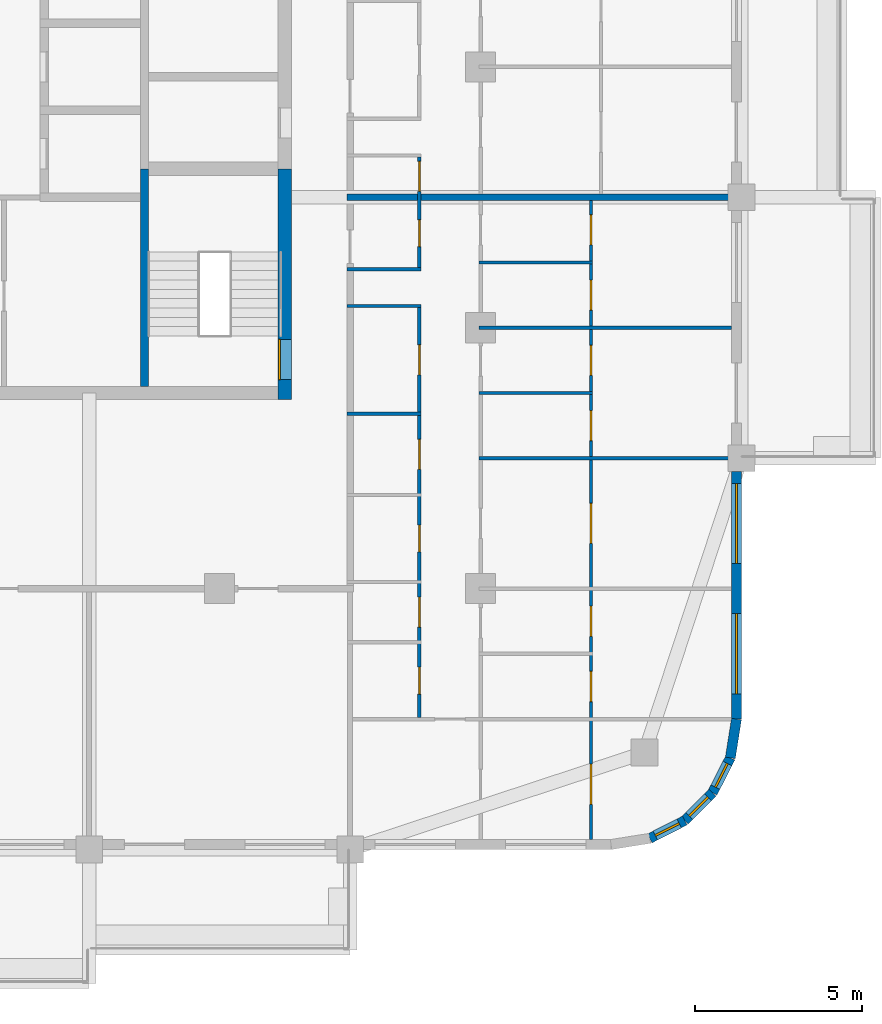
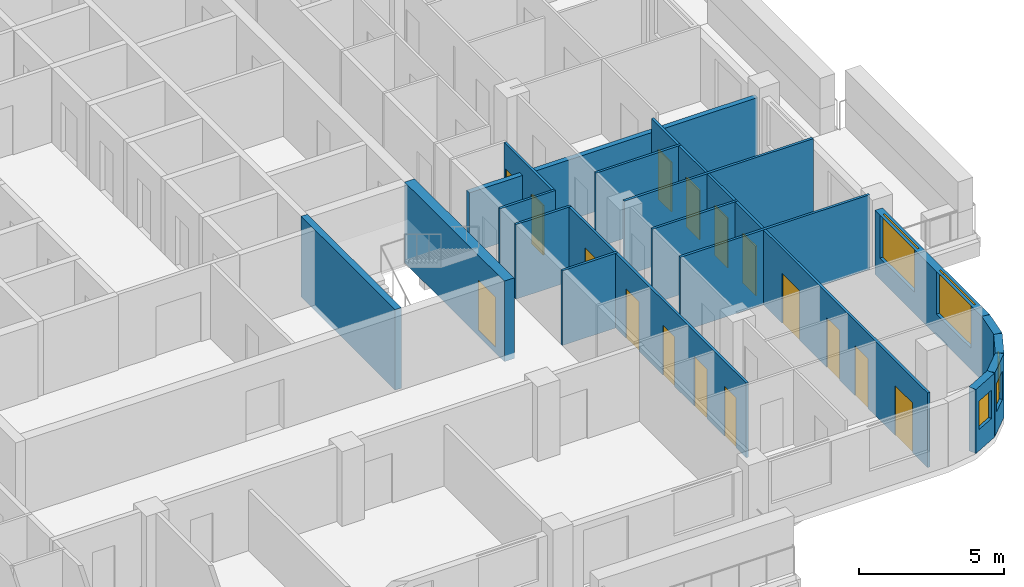
# One storey, part 6 of 16: 18 walls, 16 doors, 5 windows, 21 openings.
"""IFC4 building model written with IfcOpenShell, lengths in metres."""

import ifcopenshell
import ifcopenshell.guid

model = None  # the IFC model being written
_history = None  # IfcOwnerHistory: only IFC2X3 demands one
_inside = {}  # id of a spatial element -> (the spatial element, [elements in it])
_under = {}  # id of a project, library or spatial element -> (it, [spatial elements below it])
_declared = {}  # id of a project -> (the project, [libraries it declares])
_typed = {}  # id of a type object -> (the type object, [elements of that type])
_made_of = {}  # id of a material, layer set ... -> (it, [elements and type objects made of it])


def new_model(schema):
    """Start an empty IFC model of exactly this schema.

    Asked for "IFC4X3", IfcOpenShell would pick the latest addendum, in which some entities
    have other attributes; the version numbers below select the first issue.
    IFC2X3 requires an IfcOwnerHistory on every rooted entity: one is made here for all.
    """
    global model, _history
    if schema == "IFC4X3":
        model = ifcopenshell.file(schema_version=(4, 3, 0, 0))
    else:
        model = ifcopenshell.file(schema=schema)
    _inside.clear()
    _under.clear()
    _declared.clear()
    _typed.clear()
    _made_of.clear()
    _history = None
    if model.schema == "IFC2X3":
        org = make("IfcOrganization", Name="unknown")
        user = make(
            "IfcPersonAndOrganization",
            ThePerson=make("IfcPerson", FamilyName="unknown"),
            TheOrganization=org,
        )
        app = make(
            "IfcApplication",
            ApplicationDeveloper=org,
            Version="unknown",
            ApplicationFullName="unknown",
            ApplicationIdentifier="unknown",
        )
        _history = make(
            "IfcOwnerHistory",
            OwningUser=user,
            OwningApplication=app,
            ChangeAction="ADDED",
            CreationDate=0,
        )
    return model


def make(cls, **values):
    """One entity of the class cls with the attributes given. An attribute that is None is left unset."""
    return model.create_entity(
        cls, **{name: value for name, value in values.items() if value is not None}
    )


def rooted(cls, **values):
    """An entity with a GlobalId (a new one), such as an element, a storey or a relation."""
    return make(cls, GlobalId=ifcopenshell.guid.new(), OwnerHistory=_history, **values)


def si_unit(unit_type, name, prefix=None):
    """IfcSIUnit, for example si_unit("LENGTHUNIT", "METRE", prefix="MILLI")."""
    return make("IfcSIUnit", UnitType=unit_type, Prefix=prefix, Name=name)


def assignment(units):
    """IfcUnitAssignment: the units of a project."""
    return None if units is None else make("IfcUnitAssignment", Units=units)


def point(xyz):
    """IfcCartesianPoint."""
    return None if xyz is None else make("IfcCartesianPoint", Coordinates=xyz)


def direction(xyz):
    """IfcDirection."""
    return None if xyz is None else make("IfcDirection", DirectionRatios=xyz)


def frame(location, z_axis=None, x_axis=None):
    """IfcAxis2Placement3D, a coordinate frame: its origin and axes. An axis left out is left unset."""
    return make(
        "IfcAxis2Placement3D",
        Location=point(location),
        Axis=direction(z_axis),
        RefDirection=direction(x_axis),
    )


def frame_2d(location, x_axis=None):
    """IfcAxis2Placement2D, a coordinate frame in the plane: its origin and x axis."""
    return make(
        "IfcAxis2Placement2D", Location=point(location), RefDirection=direction(x_axis)
    )


def origin():
    """The frame at (0, 0, 0) with its axes left unset."""
    return frame((0.0, 0.0, 0.0))


def place(relative_to, where):
    """IfcLocalPlacement: puts the frame where relative to a parent placement (None: the world)."""
    return make(
        "IfcLocalPlacement", PlacementRelTo=relative_to, RelativePlacement=where
    )


def context(
    kind, dimensions, precision=None, world=None, true_north=None, identifier=None
):
    """IfcGeometricRepresentationContext, for example the 3D "Model" context."""
    return make(
        "IfcGeometricRepresentationContext",
        ContextIdentifier=identifier,
        ContextType=kind,
        CoordinateSpaceDimension=dimensions,
        Precision=precision,
        WorldCoordinateSystem=world,
        TrueNorth=true_north,
    )


def subcontext(parent, identifier, kind, view, scale=None):
    """IfcGeometricRepresentationSubContext, for example "Body" below "Model"."""
    return make(
        "IfcGeometricRepresentationSubContext",
        ContextIdentifier=identifier,
        ContextType=kind,
        ParentContext=parent,
        TargetScale=scale,
        TargetView=view,
    )


def project(units=None, contexts=None):
    """IfcProject with its units and contexts."""
    return rooted(
        "IfcProject",
        Name="project",
        RepresentationContexts=contexts,
        UnitsInContext=assignment(units),
    )


def spatial(cls, under=None, at=None, **own):
    """A site, building, storey or space (cls), placed at a placement, below another one or the project."""
    s = rooted(cls, ObjectPlacement=at, **own)
    if under is not None:
        _under.setdefault(under.id(), (under, []))[1].append(s)
    return s


def profile(cls, at=None, kind="AREA", **sizes):
    """A parametric profile (cls). Its sizes go by their IFC names, for example OverallWidth=200.0."""
    return make(cls, ProfileType=kind, Position=at, **sizes)


def rectangle(**sizes):
    """IfcRectangleProfileDef."""
    return profile("IfcRectangleProfileDef", **sizes)


def extrude(swept, where, along, depth):
    """IfcExtrudedAreaSolid: the profile swept, set in the frame where, extruded along a direction by depth."""
    return make(
        "IfcExtrudedAreaSolid",
        SweptArea=swept,
        Position=where,
        ExtrudedDirection=direction(along),
        Depth=depth,
    )


def shape(context_of_items, identifier, shape_type, items):
    """IfcShapeRepresentation: the items that make up one representation, for example the "Body"."""
    return make(
        "IfcShapeRepresentation",
        ContextOfItems=context_of_items,
        RepresentationIdentifier=identifier,
        RepresentationType=shape_type,
        Items=items,
    )


def material(Name=None, Category=None):
    """IfcMaterial."""
    return make("IfcMaterial", Name=Name, Category=Category)


def layer(
    of_material, thickness, ventilated=None, Name=None, Category=None, Priority=None
):
    """IfcMaterialLayer: one layer of a wall or slab, of a material (None: an air gap)."""
    return make(
        "IfcMaterialLayer",
        Material=of_material,
        LayerThickness=thickness,
        IsVentilated=ventilated,
        Name=Name,
        Category=Category,
        Priority=Priority,
    )


def layer_set(layers, Name=None):
    """IfcMaterialLayerSet."""
    return make("IfcMaterialLayerSet", MaterialLayers=layers, LayerSetName=Name)


def made_of(thing, what):
    """Note that an element or type object is made of a material, layer set ...; save() writes the relation."""
    if what is not None:
        _made_of.setdefault(what.id(), (what, []))[1].append(thing)
    return thing


def type_object(cls, material=None, **own):
    """A type object (cls), such as IfcWallType, which elements share."""
    return made_of(rooted(cls, **own), material)


def element(
    cls,
    number,
    at=None,
    inside=None,
    cuts=None,
    type_object=None,
    material=None,
    context=None,
    identifier="Body",
    shape_type=None,
    held_by="IfcProductDefinitionShape",
    body=None,
    shapes=None,
    **own,
):
    """One element of the class cls, such as IfcWall. Its Tag is "e" and its number.

    at: its placement. inside: the storey or other place that contains it. cuts: it is an
    opening in that element (IfcRelVoidsElement). A single representation is given by context,
    identifier, shape_type and body (its items); several are given by shapes. held_by: the class
    of the entity that holds the representations. save() writes the other relations.
    """
    e = rooted(cls, Tag="e%d" % number, ObjectPlacement=at, **own)
    if body is not None:
        shapes = [shape(context, identifier, shape_type, body)]
    if shapes is not None:
        e.Representation = make(held_by, Representations=shapes)
    if inside is not None:
        _inside.setdefault(inside.id(), (inside, []))[1].append(e)
    if cuts is not None:
        rooted(
            "IfcRelVoidsElement", RelatingBuildingElement=cuts, RelatedOpeningElement=e
        )
    if type_object is not None:
        _typed.setdefault(type_object.id(), (type_object, []))[1].append(e)
    return made_of(e, material)


def fill(opening, filler):
    """IfcRelFillsElement: the door or window that sits in an opening."""
    return rooted(
        "IfcRelFillsElement",
        RelatingOpeningElement=opening,
        RelatedBuildingElement=filler,
    )


def aggregate(whole, parts):
    """IfcRelAggregates: a whole, such as a stair, and the parts it consists of."""
    return rooted("IfcRelAggregates", RelatingObject=whole, RelatedObjects=parts)


def save(model, path):
    """Write the relations noted so far, then the file.

    IfcRelAggregates (storeys below a building ...), IfcRelContainedInSpatialStructure (elements
    in a storey), IfcRelDefinesByType, IfcRelAssociatesMaterial and IfcRelDeclares: one each for
    every whole, place, type object, material and project.
    """
    for whole, parts in _under.values():
        aggregate(whole, parts)
    for where, things in _inside.values():
        rooted(
            "IfcRelContainedInSpatialStructure",
            RelatedElements=things,
            RelatingStructure=where,
        )
    for kind, things in _typed.values():
        rooted("IfcRelDefinesByType", RelatedObjects=things, RelatingType=kind)
    for what, things in _made_of.values():
        rooted("IfcRelAssociatesMaterial", RelatedObjects=things, RelatingMaterial=what)
    for by, libraries in _declared.values():
        rooted("IfcRelDeclares", RelatingContext=by, RelatedDefinitions=libraries)
    model.write(path)


model = new_model("IFC4")

# Units and contexts
model_context = context("Model", 3, precision=1e-05, world=origin(), true_north=direction((0.0, 1.0)))
body_context = subcontext(model_context, "Body", "Model", "MODEL_VIEW")
ifc_project = project(units=[si_unit("LENGTHUNIT", "METRE"), si_unit("AREAUNIT", "SQUARE_METRE"), si_unit("VOLUMEUNIT", "CUBIC_METRE"), si_unit("PLANEANGLEUNIT", "RADIAN"), si_unit("MASSUNIT", "GRAM", prefix="KILO")], contexts=[model_context])

# Site, building, storey
site_placement = place(None, origin())
site = spatial("IfcSite", under=ifc_project, at=site_placement, CompositionType="ELEMENT")
building_placement = place(site_placement, origin())
building = spatial("IfcBuilding", under=site, at=building_placement, Name="Ludao Terraces", CompositionType="ELEMENT")
storey_placement = place(building_placement, frame((0.0, 0.0, 207.5)))
storey = spatial("IfcBuildingStorey", under=building, at=storey_placement, Name="L56", CompositionType="ELEMENT", Elevation=207.5)

# Wall, opening, door
ifc_material_1 = material(Name="Concrete C50", Category="concrete")
ifc_layer_1 = layer(ifc_material_1, 0.39990234375)
ifc_layer_set_1 = layer_set([ifc_layer_1], Name="Core wall 400 C50")
wall_type_1 = type_object("IfcWallType", Name="Core wall 400 C50", PredefinedType="SOLIDWALL", material=ifc_layer_set_1)
wall_1_placement = place(storey_placement, frame((94.75, 55.050048828125, -0.25), z_axis=(0.0, 0.0, 1.0), x_axis=(0.0, 1.0, 0.0)))
wall_1 = element("IfcWall", 1, at=wall_1_placement, inside=storey, type_object=wall_type_1, Name="Core wall L56 outer-E-S3", PredefinedType="SOLIDWALL", context=body_context, shape_type="SweptSolid", body=[
    extrude(rectangle(XDim=6.89990234375, YDim=0.39990234375, at=frame_2d((3.449951171875, 0.0))), origin(), (0.0, 0.0, 1.0), 3.39990234375),
])
opening_1_placement = place(wall_1_placement, frame((0.60009765625, 0.0, 0.25)))
opening_1 = element("IfcOpeningElement", 2, at=opening_1_placement, cuts=wall_1, Name="Opening R20-037", PredefinedType="OPENING", context=body_context, shape_type="SweptSolid", body=[
    extrude(rectangle(XDim=1.199951171875, YDim=2.10009765625, at=frame_2d((0.60009765625, 1.050048828125))), frame((0.0, 0.2099609375, 0.0), z_axis=(0.0, -1.0, 0.0), x_axis=(1.0, 0.0, 0.0)), (0.0, 0.0, 1.0), 0.419921875),
])
ifc_material_2 = material(Name="Steel Q235", Category="steel")
door_type_1 = type_object("IfcDoorType", Name="INT Stair door 1200", OperationType="DOUBLE_DOOR_SINGLE_SWING", PredefinedType="DOOR", material=ifc_material_2)
door_1_placement = place(opening_1_placement, origin())
door_1 = element("IfcDoor", 3, at=door_1_placement, inside=storey, type_object=door_type_1, Name="DOOR 037", OperationType="DOUBLE_DOOR_SINGLE_SWING", OverallHeight=2.10009765625, OverallWidth=1.199951171875, PredefinedType="DOOR", context=body_context, shape_type="SweptSolid", body=[
    extrude(rectangle(XDim=1.199951171875, YDim=2.10009765625, at=frame_2d((0.60009765625, 1.050048828125))), frame((0.0, 0.18505859375, 0.0), z_axis=(0.0, -1.0, 0.0), x_axis=(1.0, 0.0, 0.0)), (0.0, 0.0, 1.0), 0.050048828125),
])
fill(opening_1, door_1)

# Wall, openings, windows
ifc_material_3 = material(Name="Granite cladding", Category="masonry")
ifc_layer_2 = layer(ifc_material_3, 0.0400390625, Category="stone")
ifc_material_4 = material(Name="Mineral wool")
ifc_layer_3 = layer(ifc_material_4, 0.06005859375)
ifc_material_5 = material(Name="Concrete C40", Category="concrete")
ifc_layer_4 = layer(ifc_material_5, 0.199951171875, Category="concrete")
ifc_layer_set_2 = layer_set([ifc_layer_2, ifc_layer_3, ifc_layer_4], Name="ENV Stone-clad wall 300")
wall_type_2 = type_object("IfcWallType", Name="ENV Stone-clad wall 300", PredefinedType="SOLIDWALL", material=ifc_layer_set_2)
wall_2_placement = place(storey_placement, frame((108.25, 45.5, 0.0), z_axis=(0.0, 0.0, 1.0), x_axis=(0.0, 1.0, 0.0)))
wall_2 = element("IfcWall", 4, at=wall_2_placement, inside=storey, type_object=wall_type_2, Name="EW-L56-E1", PredefinedType="SOLIDWALL", context=body_context, shape_type="SweptSolid", body=[
    extrude(rectangle(XDim=7.39990234375, YDim=0.300048828125, at=frame_2d((3.699951171875, 0.0))), origin(), (0.0, 0.0, 1.0), 2.699951171875),
])
opening_2_placement = place(wall_2_placement, frame((0.75, 0.0, 0.89990234375)))
opening_2 = element("IfcOpeningElement", 5, at=opening_2_placement, cuts=wall_2, Name="Opening W1", PredefinedType="OPENING", context=body_context, shape_type="SweptSolid", body=[
    extrude(rectangle(XDim=2.39990234375, YDim=1.800048828125, at=frame_2d((1.199951171875, 0.89990234375))), frame((0.0, 0.16015625, 0.0), z_axis=(0.0, -1.0, 0.0), x_axis=(1.0, 0.0, 0.0)), (0.0, 0.0, 1.0), 0.320068359375),
])
opening_3_placement = place(wall_2_placement, frame((4.64990234375, 0.0, 0.89990234375)))
opening_3 = element("IfcOpeningElement", 6, at=opening_3_placement, cuts=wall_2, Name="Opening W1", PredefinedType="OPENING", context=body_context, shape_type="SweptSolid", body=[
    extrude(rectangle(XDim=2.39990234375, YDim=1.800048828125, at=frame_2d((1.199951171875, 0.89990234375))), frame((0.0, 0.16015625, 0.0), z_axis=(0.0, -1.0, 0.0), x_axis=(1.0, 0.0, 0.0)), (0.0, 0.0, 1.0), 0.320068359375),
])
ifc_material_6 = material(Name="Clear glass in aluminium frame", Category="aluminium")
ifc_layer_5 = layer(ifc_material_6, 0.06005859375)
ifc_layer_set_3 = layer_set([ifc_layer_5], Name="ENV Window W1 2400x1800")
window_type_1 = type_object("IfcWindowType", Name="ENV Window W1 2400x1800", PartitioningType="DOUBLE_PANEL_VERTICAL", PredefinedType="WINDOW", material=ifc_layer_set_3)
window_1_placement = place(opening_2_placement, origin())
window_1 = element("IfcWindow", 7, at=window_1_placement, inside=storey, type_object=window_type_1, Name="W-L56-E1-1", OverallHeight=1.800048828125, OverallWidth=2.39990234375, PartitioningType="DOUBLE_PANEL_VERTICAL", PredefinedType="WINDOW", context=body_context, shape_type="SweptSolid", body=[
    extrude(rectangle(XDim=2.39990234375, YDim=1.800048828125, at=frame_2d((1.199951171875, 0.89990234375))), frame((0.0, 0.030029296875, 0.0), z_axis=(0.0, -1.0, 0.0), x_axis=(1.0, 0.0, 0.0)), (0.0, 0.0, 1.0), 0.06005859375),
])
fill(opening_2, window_1)
window_2_placement = place(opening_3_placement, origin())
window_2 = element("IfcWindow", 8, at=window_2_placement, inside=storey, type_object=window_type_1, Name="W-L56-E1-2", OverallHeight=1.800048828125, OverallWidth=2.39990234375, PartitioningType="DOUBLE_PANEL_VERTICAL", PredefinedType="WINDOW", context=body_context, shape_type="SweptSolid", body=[
    extrude(rectangle(XDim=2.39990234375, YDim=1.800048828125, at=frame_2d((1.199951171875, 0.89990234375))), frame((0.0, 0.030029296875, 0.0), z_axis=(0.0, -1.0, 0.0), x_axis=(1.0, 0.0, 0.0)), (0.0, 0.0, 1.0), 0.06005859375),
])
fill(opening_3, window_2)

# Wall, opening, window
wall_3_placement = place(storey_placement, frame((105.65869140625, 41.93359375, 0.0), z_axis=(0.0, 0.0, 1.0), x_axis=(0.890988677504, 0.454025524128, 0.0)))
wall_3 = element("IfcWall", 9, at=wall_3_placement, inside=storey, type_object=wall_type_2, Name="EW-L56-SE2", PredefinedType="SOLIDWALL", context=body_context, shape_type="SweptSolid", body=[
    extrude(rectangle(XDim=1.17333984375, YDim=0.300048828125, at=frame_2d((0.586669921875, 0.0))), origin(), (0.0, 0.0, 1.0), 2.699951171875),
])
opening_4_placement = place(wall_3_placement, frame((0.1865234375, 0.0, 0.89990234375)))
opening_4 = element("IfcOpeningElement", 10, at=opening_4_placement, cuts=wall_3, Name="Opening W3", PredefinedType="OPENING", context=body_context, shape_type="SweptSolid", body=[
    extrude(rectangle(XDim=0.800048828125, YDim=1.199951171875, at=frame_2d((0.39990234375, 0.60009765625))), frame((0.0, 0.16015625, 0.0), z_axis=(0.0, -1.0, 0.0), x_axis=(1.0, 0.0, 0.0)), (0.0, 0.0, 1.0), 0.320068359375),
])
ifc_layer_6 = layer(ifc_material_6, 0.06005859375)
ifc_layer_set_4 = layer_set([ifc_layer_6], Name="ENV Window W3 800x1200")
window_type_2 = type_object("IfcWindowType", Name="ENV Window W3 800x1200", PartitioningType="SINGLE_PANEL", PredefinedType="WINDOW", material=ifc_layer_set_4)
window_3_placement = place(opening_4_placement, origin())
window_3 = element("IfcWindow", 11, at=window_3_placement, inside=storey, type_object=window_type_2, Name="W-L56-SE2", OverallHeight=1.199951171875, OverallWidth=0.800048828125, PartitioningType="SINGLE_PANEL", PredefinedType="WINDOW", context=body_context, shape_type="SweptSolid", body=[
    extrude(rectangle(XDim=0.800048828125, YDim=1.199951171875, at=frame_2d((0.39990234375, 0.60009765625))), frame((0.0, 0.030029296875, 0.0), z_axis=(0.0, -1.0, 0.0), x_axis=(1.0, 0.0, 0.0)), (0.0, 0.0, 1.0), 0.06005859375),
])
fill(opening_4, window_3)

wall_4_placement = place(storey_placement, frame((106.7041015625, 42.46630859375, 0.0), z_axis=(0.0, 0.0, 1.0), x_axis=(0.707106781187, 0.707106781187, 0.0)))
wall_4 = element("IfcWall", 12, at=wall_4_placement, inside=storey, type_object=wall_type_2, Name="EW-L56-SE3", PredefinedType="SOLIDWALL", context=body_context, shape_type="SweptSolid", body=[
    extrude(rectangle(XDim=1.173095703125, YDim=0.300048828125, at=frame_2d((0.58642578125, 0.0))), origin(), (0.0, 0.0, 1.0), 2.699951171875),
])
opening_5_placement = place(wall_4_placement, frame((0.1865234375, 0.0, 0.89990234375)))
opening_5 = element("IfcOpeningElement", 13, at=opening_5_placement, cuts=wall_4, Name="Opening W3", PredefinedType="OPENING", context=body_context, shape_type="SweptSolid", body=[
    extrude(rectangle(XDim=0.800048828125, YDim=1.199951171875, at=frame_2d((0.39990234375, 0.60009765625))), frame((0.0, 0.16015625, 0.0), z_axis=(0.0, -1.0, 0.0), x_axis=(1.0, 0.0, 0.0)), (0.0, 0.0, 1.0), 0.320068359375),
])
window_4_placement = place(opening_5_placement, origin())
window_4 = element("IfcWindow", 14, at=window_4_placement, inside=storey, type_object=window_type_2, Name="W-L56-SE3", OverallHeight=1.199951171875, OverallWidth=0.800048828125, PartitioningType="SINGLE_PANEL", PredefinedType="WINDOW", context=body_context, shape_type="SweptSolid", body=[
    extrude(rectangle(XDim=0.800048828125, YDim=1.199951171875, at=frame_2d((0.39990234375, 0.60009765625))), frame((0.0, 0.030029296875, 0.0), z_axis=(0.0, -1.0, 0.0), x_axis=(1.0, 0.0, 0.0)), (0.0, 0.0, 1.0), 0.06005859375),
])
fill(opening_5, window_4)

wall_5_placement = place(storey_placement, frame((107.53369140625, 43.2958984375, 0.0), z_axis=(0.0, 0.0, 1.0), x_axis=(0.454025524128, 0.890988677504, 0.0)))
wall_5 = element("IfcWall", 15, at=wall_5_placement, inside=storey, type_object=wall_type_2, Name="EW-L56-SE4", PredefinedType="SOLIDWALL", context=body_context, shape_type="SweptSolid", body=[
    extrude(rectangle(XDim=1.17333984375, YDim=0.300048828125, at=frame_2d((0.586669921875, 0.0))), origin(), (0.0, 0.0, 1.0), 2.699951171875),
])
opening_6_placement = place(wall_5_placement, frame((0.1865234375, 0.0, 0.89990234375)))
opening_6 = element("IfcOpeningElement", 16, at=opening_6_placement, cuts=wall_5, Name="Opening W3", PredefinedType="OPENING", context=body_context, shape_type="SweptSolid", body=[
    extrude(rectangle(XDim=0.800048828125, YDim=1.199951171875, at=frame_2d((0.39990234375, 0.60009765625))), frame((0.0, 0.16015625, 0.0), z_axis=(0.0, -1.0, 0.0), x_axis=(1.0, 0.0, 0.0)), (0.0, 0.0, 1.0), 0.320068359375),
])
window_5_placement = place(opening_6_placement, origin())
window_5 = element("IfcWindow", 17, at=window_5_placement, inside=storey, type_object=window_type_2, Name="W-L56-SE4", OverallHeight=1.199951171875, OverallWidth=0.800048828125, PartitioningType="SINGLE_PANEL", PredefinedType="WINDOW", context=body_context, shape_type="SweptSolid", body=[
    extrude(rectangle(XDim=0.800048828125, YDim=1.199951171875, at=frame_2d((0.39990234375, 0.60009765625))), frame((0.0, 0.030029296875, 0.0), z_axis=(0.0, -1.0, 0.0), x_axis=(1.0, 0.0, 0.0)), (0.0, 0.0, 1.0), 0.06005859375),
])
fill(opening_6, window_5)

# Walls
wall_6_placement = place(storey_placement, frame((108.06640625, 44.34130859375, 0.0), z_axis=(0.0, 0.0, 1.0), x_axis=(0.156496880861, 0.987678452879, 0.0)))
element("IfcWall", 18, at=wall_6_placement, inside=storey, type_object=wall_type_2, Name="EW-L56-SE5", PredefinedType="SOLIDWALL", context=body_context, shape_type="SweptSolid", body=[
    extrude(rectangle(XDim=1.173095703125, YDim=0.300048828125, at=frame_2d((0.58642578125, 0.0))), origin(), (0.0, 0.0, 1.0), 2.699951171875),
])
ifc_material_7 = material(Name="Gypsum plasterboard", Category="gypsum")
ifc_layer_7 = layer(ifc_material_7, 0.012451171875, Category="gypsum")
ifc_layer_8 = layer(ifc_material_4, 0.06005859375, Name="insulation")
ifc_layer_9 = layer(ifc_material_2, 0.014892578125, Name="stud")
ifc_layer_10 = layer(ifc_material_7, 0.012451171875, Category="gypsum")
ifc_layer_set_5 = layer_set([ifc_layer_7, ifc_layer_8, ifc_layer_9, ifc_layer_10], Name="INT Partition 100")
wall_type_3 = type_object("IfcWallType", Name="INT Partition 100", PredefinedType="PARTITIONING", material=ifc_layer_set_5)
wall_7_placement = place(storey_placement, frame((100.550048828125, 53.300048828125, 0.0), z_axis=(0.0, 0.0, 1.0), x_axis=(1.0, 0.0, 0.0)))
element("IfcWall", 19, at=wall_7_placement, inside=storey, type_object=wall_type_3, Name="PW-L56-PW013", PredefinedType="PARTITIONING", context=body_context, shape_type="SweptSolid", body=[
    extrude(rectangle(XDim=7.550048828125, YDim=0.10009765625, at=frame_2d((3.77490234375, 0.0))), origin(), (0.0, 0.0, 1.0), 3.14990234375),
])
wall_8_placement = place(storey_placement, frame((96.60009765625, 54.6298828125, 0.0), z_axis=(0.0, 0.0, 1.0), x_axis=(1.0, 0.0, 0.0)))
element("IfcWall", 20, at=wall_8_placement, inside=storey, type_object=wall_type_3, Name="PW-L56-PW015", PredefinedType="PARTITIONING", context=body_context, shape_type="SweptSolid", body=[
    extrude(rectangle(XDim=2.219970703125, YDim=0.10009765625, at=frame_2d((1.10986328125, 0.0))), origin(), (0.0, 0.0, 1.0), 3.14990234375),
])
wall_9_placement = place(storey_placement, frame((100.550048828125, 55.25, 0.0), z_axis=(0.0, 0.0, 1.0), x_axis=(1.0, 0.0, 0.0)))
element("IfcWall", 21, at=wall_9_placement, inside=storey, type_object=wall_type_3, Name="PW-L56-PW017", PredefinedType="PARTITIONING", context=body_context, shape_type="SweptSolid", body=[
    extrude(rectangle(XDim=3.400146484375, YDim=0.10009765625, at=frame_2d((1.7001953125, 0.0))), origin(), (0.0, 0.0, 1.0), 3.14990234375),
])
wall_10_placement = place(storey_placement, frame((100.550048828125, 57.199951171875, 0.0), z_axis=(0.0, 0.0, 1.0), x_axis=(1.0, 0.0, 0.0)))
element("IfcWall", 22, at=wall_10_placement, inside=storey, type_object=wall_type_3, Name="PW-L56-PW020", PredefinedType="PARTITIONING", context=body_context, shape_type="SweptSolid", body=[
    extrude(rectangle(XDim=7.550048828125, YDim=0.10009765625, at=frame_2d((3.77490234375, 0.0))), origin(), (0.0, 0.0, 1.0), 3.14990234375),
])
for number, where, z_axis, x_axis, name in (
    (23, (96.60009765625, 57.85009765625, 0.0), (0.0, 0.0, 1.0), (1.0, 0.0, 0.0), "PW-L56-PW021"),
    (24, (96.60009765625, 58.949951171875, 0.0), (0.0, 0.0, 1.0), (1.0, 0.0, 0.0), "PW-L56-PW023"),
):
    element("IfcWall", number, at=place(storey_placement, frame(where, z_axis=z_axis, x_axis=x_axis)), inside=storey, type_object=wall_type_3, Name=name, PredefinedType="PARTITIONING", context=body_context, shape_type="SweptSolid", body=[
        extrude(rectangle(XDim=2.219970703125, YDim=0.10009765625, at=frame_2d((1.10986328125, 0.0))), origin(), (0.0, 0.0, 1.0), 3.14990234375),
    ])
wall_11_placement = place(storey_placement, frame((100.550048828125, 59.14990234375, 0.0), z_axis=(0.0, 0.0, 1.0), x_axis=(1.0, 0.0, 0.0)))
element("IfcWall", 25, at=wall_11_placement, inside=storey, type_object=wall_type_3, Name="PW-L56-PW025", PredefinedType="PARTITIONING", context=body_context, shape_type="SweptSolid", body=[
    extrude(rectangle(XDim=3.400146484375, YDim=0.10009765625, at=frame_2d((1.7001953125, 0.0))), origin(), (0.0, 0.0, 1.0), 3.14990234375),
])

# Wall, openings, doors
wall_12_placement = place(storey_placement, frame((98.77001953125, 45.550048828125, 0.0), z_axis=(0.0, 0.0, 1.0), x_axis=(0.0, 1.0, 0.0)))
wall_12 = element("IfcWall", 26, at=wall_12_placement, inside=storey, type_object=wall_type_3, Name="PW-L56-PW092", PredefinedType="PARTITIONING", context=body_context, shape_type="SweptSolid", body=[
    extrude(rectangle(XDim=12.25, YDim=0.10009765625, at=frame_2d((6.125, 0.0))), origin(), (0.0, 0.0, 1.0), 3.14990234375),
])
opening_7_placement = place(wall_12_placement, frame((0.699951171875, 0.0, 0.0)))
opening_7 = element("IfcOpeningElement", 27, at=opening_7_placement, cuts=wall_12, Name="Opening R20-008", PredefinedType="OPENING", context=body_context, shape_type="SweptSolid", body=[
    extrude(rectangle(XDim=0.800048828125, YDim=2.10009765625, at=frame_2d((0.39990234375, 1.050048828125))), frame((0.0, 0.06005859375, 0.0), z_axis=(0.0, -1.0, 0.0), x_axis=(1.0, 0.0, 0.0)), (0.0, 0.0, 1.0), 0.1201171875),
])
opening_8_placement = place(wall_12_placement, frame((2.699951171875, 0.0, 0.0)))
opening_8 = element("IfcOpeningElement", 28, at=opening_8_placement, cuts=wall_12, Name="Opening R20-014", PredefinedType="OPENING", context=body_context, shape_type="SweptSolid", body=[
    extrude(rectangle(XDim=0.89990234375, YDim=2.10009765625, at=frame_2d((0.449951171875, 1.050048828125))), frame((0.0, 0.06005859375, 0.0), z_axis=(0.0, -1.0, 0.0), x_axis=(1.0, 0.0, 0.0)), (0.0, 0.0, 1.0), 0.1201171875),
])
opening_9_placement = place(wall_12_placement, frame((4.949951171875, 0.0, 0.0)))
opening_9 = element("IfcOpeningElement", 29, at=opening_9_placement, cuts=wall_12, Name="Opening R20-021", PredefinedType="OPENING", context=body_context, shape_type="SweptSolid", body=[
    extrude(rectangle(XDim=0.800048828125, YDim=2.10009765625, at=frame_2d((0.39990234375, 1.050048828125))), frame((0.0, 0.06005859375, 0.0), z_axis=(0.0, -1.0, 0.0), x_axis=(1.0, 0.0, 0.0)), (0.0, 0.0, 1.0), 0.1201171875),
])
opening_10_placement = place(wall_12_placement, frame((7.4150390625, 0.0, 0.0)))
opening_10 = element("IfcOpeningElement", 30, at=opening_10_placement, cuts=wall_12, Name="Opening R20-028", PredefinedType="OPENING", context=body_context, shape_type="SweptSolid", body=[
    extrude(rectangle(XDim=0.89990234375, YDim=2.10009765625, at=frame_2d((0.449951171875, 1.050048828125))), frame((0.0, 0.06005859375, 0.0), z_axis=(0.0, -1.0, 0.0), x_axis=(1.0, 0.0, 0.0)), (0.0, 0.0, 1.0), 0.1201171875),
])
opening_11_placement = place(wall_12_placement, frame((10.239990234375, 0.0, 0.0)))
opening_11 = element("IfcOpeningElement", 31, at=opening_11_placement, cuts=wall_12, Name="Opening R20-036", PredefinedType="OPENING", context=body_context, shape_type="SweptSolid", body=[
    extrude(rectangle(XDim=0.89990234375, YDim=2.10009765625, at=frame_2d((0.449951171875, 1.050048828125))), frame((0.0, 0.06005859375, 0.0), z_axis=(0.0, -1.0, 0.0), x_axis=(1.0, 0.0, 0.0)), (0.0, 0.0, 1.0), 0.1201171875),
])
ifc_material_8 = material(Name="Timber door leaf", Category="wood")
door_type_2 = type_object("IfcDoorType", Name="INT Bathroom door 900", OperationType="SINGLE_SWING_LEFT", PredefinedType="DOOR", material=ifc_material_8)
door_2_placement = place(opening_8_placement, origin())
door_2 = element("IfcDoor", 32, at=door_2_placement, inside=storey, type_object=door_type_2, Name="DOOR 014", OperationType="SINGLE_SWING_RIGHT", OverallHeight=2.10009765625, OverallWidth=0.89990234375, PredefinedType="DOOR", context=body_context, shape_type="SweptSolid", body=[
    extrude(rectangle(XDim=0.89990234375, YDim=2.10009765625, at=frame_2d((0.449951171875, 1.050048828125))), frame((0.0, 0.02490234375, 0.0), z_axis=(0.0, -1.0, 0.0), x_axis=(1.0, 0.0, 0.0)), (0.0, 0.0, 1.0), 0.050048828125),
])
fill(opening_8, door_2)
door_3_placement = place(opening_10_placement, origin())
door_3 = element("IfcDoor", 33, at=door_3_placement, inside=storey, type_object=door_type_2, Name="DOOR 028", OperationType="SINGLE_SWING_LEFT", OverallHeight=2.10009765625, OverallWidth=0.89990234375, PredefinedType="DOOR", context=body_context, shape_type="SweptSolid", body=[
    extrude(rectangle(XDim=0.89990234375, YDim=2.10009765625, at=frame_2d((0.449951171875, 1.050048828125))), frame((0.0, 0.02490234375, 0.0), z_axis=(0.0, -1.0, 0.0), x_axis=(1.0, 0.0, 0.0)), (0.0, 0.0, 1.0), 0.050048828125),
])
fill(opening_10, door_3)
door_type_3 = type_object("IfcDoorType", Name="INT Room door 900", OperationType="SINGLE_SWING_LEFT", PredefinedType="DOOR", material=ifc_material_8)
door_4_placement = place(opening_11_placement, origin())
door_4 = element("IfcDoor", 34, at=door_4_placement, inside=storey, type_object=door_type_3, Name="DOOR 036", OperationType="SINGLE_SWING_LEFT", OverallHeight=2.10009765625, OverallWidth=0.89990234375, PredefinedType="DOOR", context=body_context, shape_type="SweptSolid", body=[
    extrude(rectangle(XDim=0.89990234375, YDim=2.10009765625, at=frame_2d((0.449951171875, 1.050048828125))), frame((0.0, 0.02490234375, 0.0), z_axis=(0.0, -1.0, 0.0), x_axis=(1.0, 0.0, 0.0)), (0.0, 0.0, 1.0), 0.050048828125),
])
fill(opening_11, door_4)
door_type_4 = type_object("IfcDoorType", Name="INT Store door 800", OperationType="SINGLE_SWING_LEFT", PredefinedType="DOOR", material=ifc_material_8)
door_5_placement = place(opening_7_placement, origin())
door_5 = element("IfcDoor", 35, at=door_5_placement, inside=storey, type_object=door_type_4, Name="DOOR 008", OperationType="SINGLE_SWING_RIGHT", OverallHeight=2.10009765625, OverallWidth=0.800048828125, PredefinedType="DOOR", context=body_context, shape_type="SweptSolid", body=[
    extrude(rectangle(XDim=0.800048828125, YDim=2.10009765625, at=frame_2d((0.39990234375, 1.050048828125))), frame((0.0, 0.02490234375, 0.0), z_axis=(0.0, -1.0, 0.0), x_axis=(1.0, 0.0, 0.0)), (0.0, 0.0, 1.0), 0.050048828125),
])
fill(opening_7, door_5)
door_6_placement = place(opening_9_placement, origin())
door_6 = element("IfcDoor", 36, at=door_6_placement, inside=storey, type_object=door_type_4, Name="DOOR 021", OperationType="SINGLE_SWING_LEFT", OverallHeight=2.10009765625, OverallWidth=0.800048828125, PredefinedType="DOOR", context=body_context, shape_type="SweptSolid", body=[
    extrude(rectangle(XDim=0.800048828125, YDim=2.10009765625, at=frame_2d((0.39990234375, 1.050048828125))), frame((0.0, 0.02490234375, 0.0), z_axis=(0.0, -1.0, 0.0), x_axis=(1.0, 0.0, 0.0)), (0.0, 0.0, 1.0), 0.050048828125),
])
fill(opening_9, door_6)

wall_13_placement = place(storey_placement, frame((98.77001953125, 59.0, 0.0), z_axis=(0.0, 0.0, 1.0), x_axis=(0.0, 1.0, 0.0)))
wall_13 = element("IfcWall", 37, at=wall_13_placement, inside=storey, type_object=wall_type_3, Name="PW-L56-PW093", PredefinedType="PARTITIONING", context=body_context, shape_type="SweptSolid", body=[
    extrude(rectangle(XDim=3.300048828125, YDim=0.10009765625, at=frame_2d((1.64990234375, 0.0))), origin(), (0.0, 0.0, 1.0), 3.14990234375),
])
opening_12_placement = place(wall_13_placement, frame((0.625, 0.0, 0.0)))
opening_12 = element("IfcOpeningElement", 38, at=opening_12_placement, cuts=wall_13, Name="Opening R20-044", PredefinedType="OPENING", context=body_context, shape_type="SweptSolid", body=[
    extrude(rectangle(XDim=0.800048828125, YDim=2.10009765625, at=frame_2d((0.39990234375, 1.050048828125))), frame((0.0, 0.06005859375, 0.0), z_axis=(0.0, -1.0, 0.0), x_axis=(1.0, 0.0, 0.0)), (0.0, 0.0, 1.0), 0.1201171875),
])
opening_13_placement = place(wall_13_placement, frame((2.275146484375, 0.0, 0.0)))
opening_13 = element("IfcOpeningElement", 39, at=opening_13_placement, cuts=wall_13, Name="Opening R20-050", PredefinedType="OPENING", context=body_context, shape_type="SweptSolid", body=[
    extrude(rectangle(XDim=0.89990234375, YDim=2.10009765625, at=frame_2d((0.449951171875, 1.050048828125))), frame((0.0, 0.06005859375, 0.0), z_axis=(0.0, -1.0, 0.0), x_axis=(1.0, 0.0, 0.0)), (0.0, 0.0, 1.0), 0.1201171875),
])
door_7_placement = place(opening_13_placement, origin())
door_7 = element("IfcDoor", 40, at=door_7_placement, inside=storey, type_object=door_type_2, Name="DOOR 050", OperationType="SINGLE_SWING_LEFT", OverallHeight=2.10009765625, OverallWidth=0.89990234375, PredefinedType="DOOR", context=body_context, shape_type="SweptSolid", body=[
    extrude(rectangle(XDim=0.89990234375, YDim=2.10009765625, at=frame_2d((0.449951171875, 1.050048828125))), frame((0.0, 0.02490234375, 0.0), z_axis=(0.0, -1.0, 0.0), x_axis=(1.0, 0.0, 0.0)), (0.0, 0.0, 1.0), 0.050048828125),
])
fill(opening_13, door_7)
door_8_placement = place(opening_12_placement, origin())
door_8 = element("IfcDoor", 41, at=door_8_placement, inside=storey, type_object=door_type_4, Name="DOOR 044", OperationType="SINGLE_SWING_RIGHT", OverallHeight=2.10009765625, OverallWidth=0.800048828125, PredefinedType="DOOR", context=body_context, shape_type="SweptSolid", body=[
    extrude(rectangle(XDim=0.800048828125, YDim=2.10009765625, at=frame_2d((0.39990234375, 1.050048828125))), frame((0.0, 0.02490234375, 0.0), z_axis=(0.0, -1.0, 0.0), x_axis=(1.0, 0.0, 0.0)), (0.0, 0.0, 1.0), 0.050048828125),
])
fill(opening_12, door_8)

wall_14_placement = place(storey_placement, frame((103.89990234375, 41.900146484375, 0.0), z_axis=(0.0, 0.0, 1.0), x_axis=(0.0, 1.0, 0.0)))
wall_14 = element("IfcWall", 42, at=wall_14_placement, inside=storey, type_object=wall_type_3, Name="PW-L56-PW097", PredefinedType="PARTITIONING", context=body_context, shape_type="SweptSolid", body=[
    extrude(rectangle(XDim=19.099853515625, YDim=0.10009765625, at=frame_2d((9.5498046875, 0.0))), origin(), (0.0, 0.0, 1.0), 3.14990234375),
])
opening_14_placement = place(wall_14_placement, frame((1.050048828125, 0.0, 0.0)))
opening_14 = element("IfcOpeningElement", 43, at=opening_14_placement, cuts=wall_14, Name="Opening R20-004", PredefinedType="OPENING", context=body_context, shape_type="SweptSolid", body=[
    extrude(rectangle(XDim=1.199951171875, YDim=2.10009765625, at=frame_2d((0.60009765625, 1.050048828125))), frame((0.0, 0.06005859375, 0.0), z_axis=(0.0, -1.0, 0.0), x_axis=(1.0, 0.0, 0.0)), (0.0, 0.0, 1.0), 0.1201171875),
])
opening_15_placement = place(wall_14_placement, frame((4.125, 0.0, 0.0)))
opening_15 = element("IfcOpeningElement", 44, at=opening_15_placement, cuts=wall_14, Name="Opening R20-007", PredefinedType="OPENING", context=body_context, shape_type="SweptSolid", body=[
    extrude(rectangle(XDim=0.89990234375, YDim=2.10009765625, at=frame_2d((0.449951171875, 1.050048828125))), frame((0.0, 0.06005859375, 0.0), z_axis=(0.0, -1.0, 0.0), x_axis=(1.0, 0.0, 0.0)), (0.0, 0.0, 1.0), 0.1201171875),
])
opening_16_placement = place(wall_14_placement, frame((6.074951171875, 0.0, 0.0)))
opening_16 = element("IfcOpeningElement", 45, at=opening_16_placement, cuts=wall_14, Name="Opening R20-013", PredefinedType="OPENING", context=body_context, shape_type="SweptSolid", body=[
    extrude(rectangle(XDim=0.89990234375, YDim=2.10009765625, at=frame_2d((0.449951171875, 1.050048828125))), frame((0.0, 0.06005859375, 0.0), z_axis=(0.0, -1.0, 0.0), x_axis=(1.0, 0.0, 0.0)), (0.0, 0.0, 1.0), 0.1201171875),
])
opening_17_placement = place(wall_14_placement, frame((8.85009765625, 0.0, 0.0)))
opening_17 = element("IfcOpeningElement", 46, at=opening_17_placement, cuts=wall_14, Name="Opening R20-023", PredefinedType="OPENING", context=body_context, shape_type="SweptSolid", body=[
    extrude(rectangle(XDim=1.199951171875, YDim=2.10009765625, at=frame_2d((0.60009765625, 1.050048828125))), frame((0.0, 0.06005859375, 0.0), z_axis=(0.0, -1.0, 0.0), x_axis=(1.0, 0.0, 0.0)), (0.0, 0.0, 1.0), 0.1201171875),
])
opening_18_placement = place(wall_14_placement, frame((11.925048828125, 0.0, 0.0)))
opening_18 = element("IfcOpeningElement", 47, at=opening_18_placement, cuts=wall_14, Name="Opening R20-029", PredefinedType="OPENING", context=body_context, shape_type="SweptSolid", body=[
    extrude(rectangle(XDim=0.89990234375, YDim=2.10009765625, at=frame_2d((0.449951171875, 1.050048828125))), frame((0.0, 0.06005859375, 0.0), z_axis=(0.0, -1.0, 0.0), x_axis=(1.0, 0.0, 0.0)), (0.0, 0.0, 1.0), 0.1201171875),
])
opening_19_placement = place(wall_14_placement, frame((13.875, 0.0, 0.0)))
opening_19 = element("IfcOpeningElement", 48, at=opening_19_placement, cuts=wall_14, Name="Opening R20-035", PredefinedType="OPENING", context=body_context, shape_type="SweptSolid", body=[
    extrude(rectangle(XDim=0.89990234375, YDim=2.10009765625, at=frame_2d((0.449951171875, 1.050048828125))), frame((0.0, 0.06005859375, 0.0), z_axis=(0.0, -1.0, 0.0), x_axis=(1.0, 0.0, 0.0)), (0.0, 0.0, 1.0), 0.1201171875),
])
opening_20_placement = place(wall_14_placement, frame((15.824951171875, 0.0, 0.0)))
opening_20 = element("IfcOpeningElement", 49, at=opening_20_placement, cuts=wall_14, Name="Opening R20-041", PredefinedType="OPENING", context=body_context, shape_type="SweptSolid", body=[
    extrude(rectangle(XDim=0.89990234375, YDim=2.10009765625, at=frame_2d((0.449951171875, 1.050048828125))), frame((0.0, 0.06005859375, 0.0), z_axis=(0.0, -1.0, 0.0), x_axis=(1.0, 0.0, 0.0)), (0.0, 0.0, 1.0), 0.1201171875),
])
opening_21_placement = place(wall_14_placement, frame((17.77490234375, 0.0, 0.0)))
opening_21 = element("IfcOpeningElement", 50, at=opening_21_placement, cuts=wall_14, Name="Opening R20-048", PredefinedType="OPENING", context=body_context, shape_type="SweptSolid", body=[
    extrude(rectangle(XDim=0.89990234375, YDim=2.10009765625, at=frame_2d((0.449951171875, 1.050048828125))), frame((0.0, 0.06005859375, 0.0), z_axis=(0.0, -1.0, 0.0), x_axis=(1.0, 0.0, 0.0)), (0.0, 0.0, 1.0), 0.1201171875),
])
door_9_placement = place(opening_15_placement, origin())
door_9 = element("IfcDoor", 51, at=door_9_placement, inside=storey, type_object=door_type_2, Name="DOOR 007", OperationType="SINGLE_SWING_RIGHT", OverallHeight=2.10009765625, OverallWidth=0.89990234375, PredefinedType="DOOR", context=body_context, shape_type="SweptSolid", body=[
    extrude(rectangle(XDim=0.89990234375, YDim=2.10009765625, at=frame_2d((0.449951171875, 1.050048828125))), frame((0.0, 0.02490234375, 0.0), z_axis=(0.0, -1.0, 0.0), x_axis=(1.0, 0.0, 0.0)), (0.0, 0.0, 1.0), 0.050048828125),
])
fill(opening_15, door_9)
door_10_placement = place(opening_18_placement, origin())
door_10 = element("IfcDoor", 52, at=door_10_placement, inside=storey, type_object=door_type_2, Name="DOOR 029", OperationType="SINGLE_SWING_LEFT", OverallHeight=2.10009765625, OverallWidth=0.89990234375, PredefinedType="DOOR", context=body_context, shape_type="SweptSolid", body=[
    extrude(rectangle(XDim=0.89990234375, YDim=2.10009765625, at=frame_2d((0.449951171875, 1.050048828125))), frame((0.0, 0.02490234375, 0.0), z_axis=(0.0, -1.0, 0.0), x_axis=(1.0, 0.0, 0.0)), (0.0, 0.0, 1.0), 0.050048828125),
])
fill(opening_18, door_10)
door_11_placement = place(opening_20_placement, origin())
door_11 = element("IfcDoor", 53, at=door_11_placement, inside=storey, type_object=door_type_2, Name="DOOR 041", OperationType="SINGLE_SWING_LEFT", OverallHeight=2.10009765625, OverallWidth=0.89990234375, PredefinedType="DOOR", context=body_context, shape_type="SweptSolid", body=[
    extrude(rectangle(XDim=0.89990234375, YDim=2.10009765625, at=frame_2d((0.449951171875, 1.050048828125))), frame((0.0, 0.02490234375, 0.0), z_axis=(0.0, -1.0, 0.0), x_axis=(1.0, 0.0, 0.0)), (0.0, 0.0, 1.0), 0.050048828125),
])
fill(opening_20, door_11)
door_type_5 = type_object("IfcDoorType", Name="INT Double door 1200", OperationType="DOUBLE_DOOR_SINGLE_SWING", PredefinedType="DOOR", material=ifc_material_8)
door_12_placement = place(opening_14_placement, origin())
door_12 = element("IfcDoor", 54, at=door_12_placement, inside=storey, type_object=door_type_5, Name="DOOR 004", OperationType="DOUBLE_DOOR_SINGLE_SWING", OverallHeight=2.10009765625, OverallWidth=1.199951171875, PredefinedType="DOOR", context=body_context, shape_type="SweptSolid", body=[
    extrude(rectangle(XDim=1.199951171875, YDim=2.10009765625, at=frame_2d((0.60009765625, 1.050048828125))), frame((0.0, 0.02490234375, 0.0), z_axis=(0.0, -1.0, 0.0), x_axis=(1.0, 0.0, 0.0)), (0.0, 0.0, 1.0), 0.050048828125),
])
fill(opening_14, door_12)
door_13_placement = place(opening_17_placement, origin())
door_13 = element("IfcDoor", 55, at=door_13_placement, inside=storey, type_object=door_type_5, Name="DOOR 023", OperationType="DOUBLE_DOOR_SINGLE_SWING", OverallHeight=2.10009765625, OverallWidth=1.199951171875, PredefinedType="DOOR", context=body_context, shape_type="SweptSolid", body=[
    extrude(rectangle(XDim=1.199951171875, YDim=2.10009765625, at=frame_2d((0.60009765625, 1.050048828125))), frame((0.0, 0.02490234375, 0.0), z_axis=(0.0, -1.0, 0.0), x_axis=(1.0, 0.0, 0.0)), (0.0, 0.0, 1.0), 0.050048828125),
])
fill(opening_17, door_13)
door_14_placement = place(opening_16_placement, origin())
door_14 = element("IfcDoor", 56, at=door_14_placement, inside=storey, type_object=door_type_3, Name="DOOR 013", OperationType="SINGLE_SWING_LEFT", OverallHeight=2.10009765625, OverallWidth=0.89990234375, PredefinedType="DOOR", context=body_context, shape_type="SweptSolid", body=[
    extrude(rectangle(XDim=0.89990234375, YDim=2.10009765625, at=frame_2d((0.449951171875, 1.050048828125))), frame((0.0, 0.02490234375, 0.0), z_axis=(0.0, -1.0, 0.0), x_axis=(1.0, 0.0, 0.0)), (0.0, 0.0, 1.0), 0.050048828125),
])
fill(opening_16, door_14)
door_15_placement = place(opening_19_placement, origin())
door_15 = element("IfcDoor", 57, at=door_15_placement, inside=storey, type_object=door_type_3, Name="DOOR 035", OperationType="SINGLE_SWING_RIGHT", OverallHeight=2.10009765625, OverallWidth=0.89990234375, PredefinedType="DOOR", context=body_context, shape_type="SweptSolid", body=[
    extrude(rectangle(XDim=0.89990234375, YDim=2.10009765625, at=frame_2d((0.449951171875, 1.050048828125))), frame((0.0, 0.02490234375, 0.0), z_axis=(0.0, -1.0, 0.0), x_axis=(1.0, 0.0, 0.0)), (0.0, 0.0, 1.0), 0.050048828125),
])
fill(opening_19, door_15)
door_16_placement = place(opening_21_placement, origin())
door_16 = element("IfcDoor", 58, at=door_16_placement, inside=storey, type_object=door_type_3, Name="DOOR 048", OperationType="SINGLE_SWING_LEFT", OverallHeight=2.10009765625, OverallWidth=0.89990234375, PredefinedType="DOOR", context=body_context, shape_type="SweptSolid", body=[
    extrude(rectangle(XDim=0.89990234375, YDim=2.10009765625, at=frame_2d((0.449951171875, 1.050048828125))), frame((0.0, 0.02490234375, 0.0), z_axis=(0.0, -1.0, 0.0), x_axis=(1.0, 0.0, 0.0)), (0.0, 0.0, 1.0), 0.050048828125),
])
fill(opening_21, door_16)

# Walls
ifc_material_9 = material(Name="Autoclaved aerated concrete block B06 A3.5", Category="concrete")
ifc_layer_11 = layer(ifc_material_9, 0.199951171875)
ifc_layer_set_6 = layer_set([ifc_layer_11], Name="INT Party wall 200")
wall_type_4 = type_object("IfcWallType", Name="INT Party wall 200", PredefinedType="PARTITIONING", material=ifc_layer_set_6)
wall_15_placement = place(storey_placement, frame((96.60009765625, 61.10009765625, 0.0), z_axis=(0.0, 0.0, 1.0), x_axis=(1.0, 0.0, 0.0)))
element("IfcWall", 59, at=wall_15_placement, inside=storey, type_object=wall_type_4, Name="PW-L56-PW028", PredefinedType="PARTITIONING", context=body_context, shape_type="SweptSolid", body=[
    extrude(rectangle(XDim=11.5, YDim=0.199951171875, at=frame_2d((5.75, 0.0))), origin(), (0.0, 0.0, 1.0), 2.550048828125),
])
ifc_layer_12 = layer(ifc_material_1, 0.25)
ifc_layer_set_7 = layer_set([ifc_layer_12], Name="Shaft wall 250 C50")
wall_type_5 = type_object("IfcWallType", Name="Shaft wall 250 C50", PredefinedType="SOLIDWALL", material=ifc_layer_set_7)
wall_16_placement = place(storey_placement, frame((90.550048828125, 55.449951171875, -0.25), z_axis=(0.0, 0.0, 1.0), x_axis=(0.0, 1.0, 0.0)))
element("IfcWall", 60, at=wall_16_placement, inside=storey, type_object=wall_type_5, Name="Core wall L56 back-E-S3", PredefinedType="SOLIDWALL", context=body_context, shape_type="SweptSolid", body=[
    extrude(rectangle(XDim=6.5, YDim=0.25, at=frame_2d((3.25, 0.0))), origin(), (0.0, 0.0, 1.0), 3.39990234375),
])

save(model, "model.ifc")
